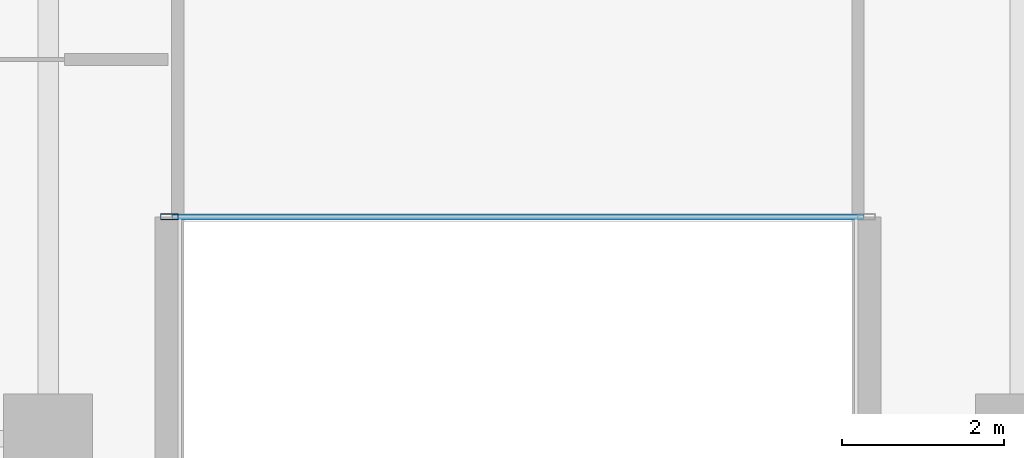
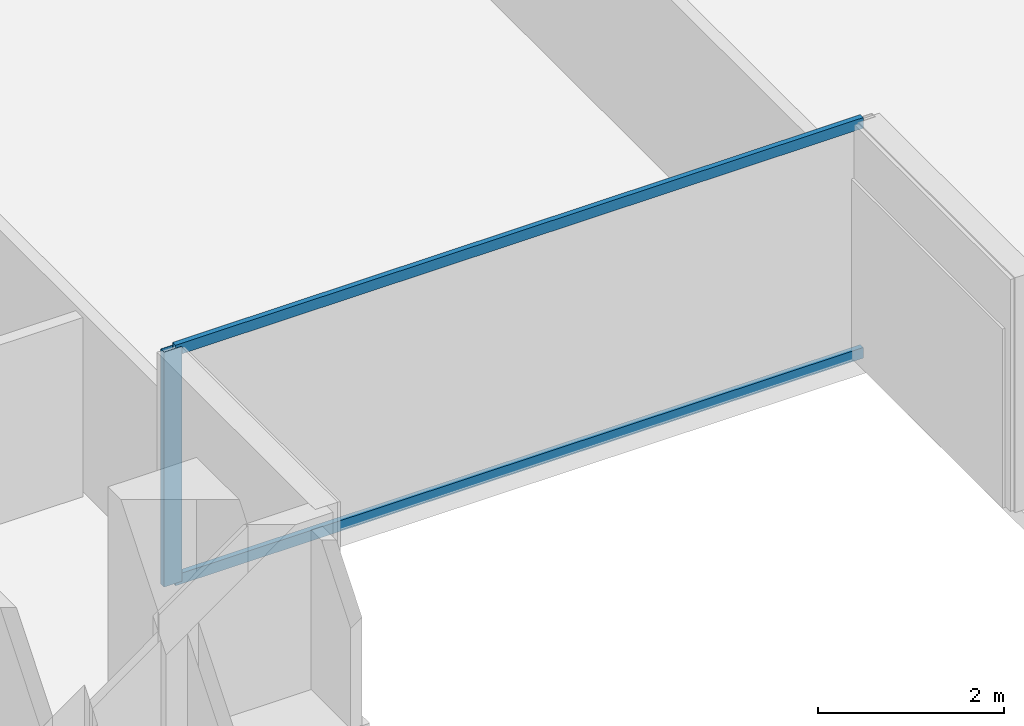
# One storey, part 4 of 34: 3 members, 1 element without a shape of its own.
"""IFC4 building model written with IfcOpenShell, lengths in metres."""

from ifc_helpers import new_model, si_unit, direction, frame, origin, origin_2d, place, context, subcontext, project, spatial, hollow_rectangle, extrude, material, layer, layer_set, material_profile, profile_set, type_object, element, aggregate, save


model = new_model("IFC4")

# Units and contexts
model_context = context("Model", 3, precision=1e-05, world=origin(), true_north=direction((0.0, 1.0)))
body_context = subcontext(model_context, "Body", "Model", "MODEL_VIEW")
ifc_project = project(units=[si_unit("LENGTHUNIT", "METRE"), si_unit("AREAUNIT", "SQUARE_METRE"), si_unit("VOLUMEUNIT", "CUBIC_METRE"), si_unit("PLANEANGLEUNIT", "RADIAN"), si_unit("MASSUNIT", "GRAM", prefix="KILO")], contexts=[model_context])

# Site, building, storey
site_placement = place(None, origin())
site = spatial("IfcSite", under=ifc_project, at=site_placement, CompositionType="ELEMENT")
building_placement = place(site_placement, origin())
building = spatial("IfcBuilding", under=site, at=building_placement, Name="Tanjung Sevakor Pilgrim Tower", CompositionType="ELEMENT")
storey_placement = place(building_placement, frame((0.0, 0.0, 55.43994140625)))
storey = spatial("IfcBuildingStorey", under=building, at=storey_placement, Name="L15", CompositionType="ELEMENT", Elevation=55.43994140625)

# Curtain wall, members
ifc_material_1 = material(Name="Aluminium 6063-T6 and Low-E Glass", Category="aluminium")
ifc_layer = layer(ifc_material_1, 0.179931640625)
ifc_layer_set = layer_set([ifc_layer], Name="CW-SYS-CLEFT")
curtain_wall_type = type_object("IfcCurtainWallType", Name="CW-SYS-CLEFT", PredefinedType="NOTDEFINED", material=ifc_layer_set)
curtain_wall_placement = place(storey_placement, origin())
curtain_wall = element("IfcCurtainWall", 1, at=curtain_wall_placement, inside=storey, type_object=curtain_wall_type, Name="L15 Curtain Wall CW-CLF-L15-2", PredefinedType="NOTDEFINED")
ifc_material_2 = material(Name="Aluminium 6063-T6", Category="aluminium")
ifc_material_profile_1 = material_profile(ifc_material_2, hollow_rectangle(XDim=0.074951171875, YDim=0.219970703125, WallThickness=0.0048828125, at=origin_2d()))
ifc_profile_set_1 = profile_set([ifc_material_profile_1], Name="Aluminium 6063-T6")
member_type_1 = type_object("IfcMemberType", Name="TYPE-CWM-2", PredefinedType="MULLION", material=ifc_profile_set_1)
member_1_placement = place(storey_placement, frame((43.49755859375, 11.139892578125, 0.0), z_axis=(0.0, 0.0, 1.0), x_axis=(0.0, 1.0, 0.0)))
member_1 = element("IfcMember", 2, at=member_1_placement, type_object=member_type_1, Name="CW-CLF mullion 1", PredefinedType="MULLION", context=body_context, shape_type="SweptSolid", body=[
    extrude(hollow_rectangle(XDim=0.074951171875, YDim=0.219970703125, WallThickness=0.0048828125, at=origin_2d()), origin(), (0.0, 0.0, 1.0), 3.080078125),
])
ifc_material_3 = material(Name="Aluminium 6063-T6", Category="aluminium")
ifc_material_profile_2 = material_profile(ifc_material_3, hollow_rectangle(XDim=0.06494140625, YDim=0.139892578125, WallThickness=0.00390625, at=origin_2d()))
ifc_profile_set_2 = profile_set([ifc_material_profile_2], Name="Aluminium 6063-T6")
member_type_2 = type_object("IfcMemberType", Name="TYPE-CWT-1", PredefinedType="USERDEFINED", material=ifc_profile_set_2)
member_2_placement = place(storey_placement, frame((43.534912109375, 11.139892578125, 0.032470703125), z_axis=(1.0, 0.0, 0.0), x_axis=(0.0, 1.0, 0.0)))
member_2 = element("IfcMember", 3, at=member_2_placement, type_object=member_type_2, Name="CW-CLF transom 1.1", ObjectType="TRANSOM", PredefinedType="USERDEFINED", context=body_context, shape_type="SweptSolid", body=[
    extrude(hollow_rectangle(XDim=0.06494140625, YDim=0.139892578125, WallThickness=0.00390625, at=origin_2d()), origin(), (0.0, 0.0, 1.0), 8.530029296875),
])
member_3_placement = place(storey_placement, frame((43.534912109375, 11.139892578125, 3.047607421875), z_axis=(1.0, 0.0, 0.0), x_axis=(0.0, 1.0, 0.0)))
member_3 = element("IfcMember", 4, at=member_3_placement, type_object=member_type_2, Name="CW-CLF transom 1.2", ObjectType="TRANSOM", PredefinedType="USERDEFINED", context=body_context, shape_type="SweptSolid", body=[
    extrude(hollow_rectangle(XDim=0.06494140625, YDim=0.139892578125, WallThickness=0.00390625, at=origin_2d()), origin(), (0.0, 0.0, 1.0), 8.530029296875),
])
aggregate(curtain_wall, [member_1, member_2, member_3])

save(model, "model.ifc")
